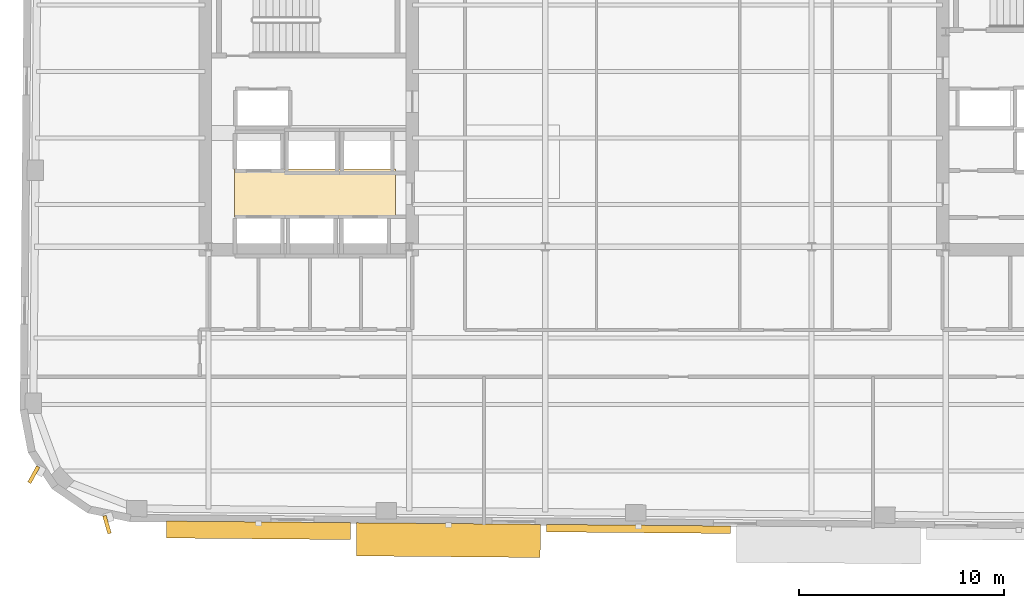
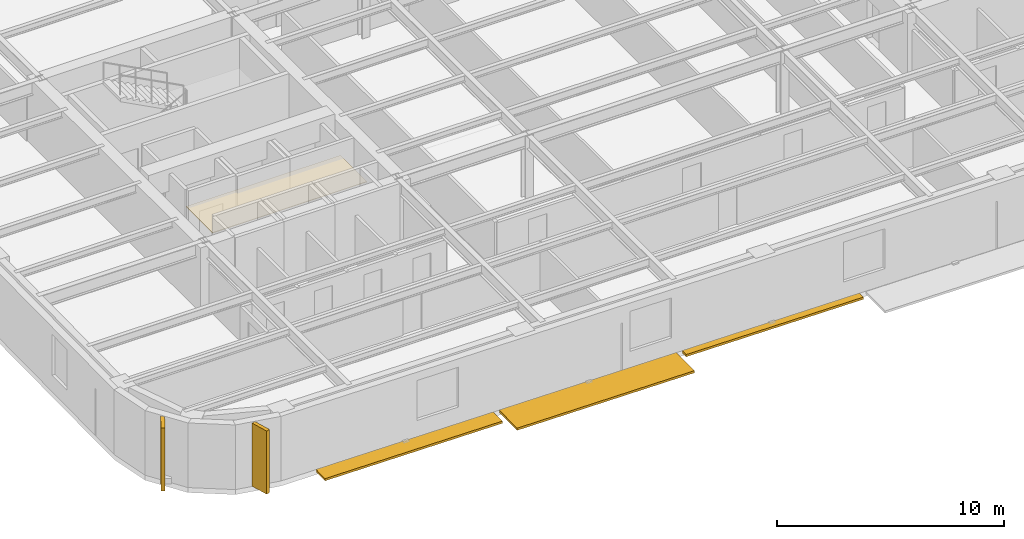
# One storey, part 8 of 12: 5 shading devices, 1 covering.
"""IFC4 building model written with IfcOpenShell, lengths in metres."""

from ifc_helpers import new_model, si_unit, direction, frame, origin, origin_2d, place, context, subcontext, project, spatial, polyline, rectangle, outline, extrude, material, layer, layer_set, type_object, element, save


model = new_model("IFC4")

# Units and contexts
model_context = context("Model", 3, precision=1e-05, world=origin(), true_north=direction((0.0, 1.0)))
body_context = subcontext(model_context, "Body", "Model", "MODEL_VIEW")
ifc_project = project(units=[si_unit("LENGTHUNIT", "METRE"), si_unit("AREAUNIT", "SQUARE_METRE"), si_unit("VOLUMEUNIT", "CUBIC_METRE"), si_unit("PLANEANGLEUNIT", "RADIAN"), si_unit("MASSUNIT", "GRAM", prefix="KILO")], contexts=[model_context])

# Site, building, storey
site_placement = place(None, origin())
site = spatial("IfcSite", under=ifc_project, at=site_placement, CompositionType="ELEMENT")
building_placement = place(site_placement, origin())
building = spatial("IfcBuilding", under=site, at=building_placement, Name="Kolvaren Arena Tower", CompositionType="ELEMENT")
storey_placement = place(building_placement, frame((0.0, 0.0, 177.199951171875)))
storey = spatial("IfcBuildingStorey", under=building, at=storey_placement, Name="L42", CompositionType="ELEMENT", Elevation=177.199951171875)

# Covering
ifc_material_1 = material(Name="Moisture-resistant gypsum ceiling", Category="gypsum")
ifc_layer = layer(ifc_material_1, 0.030029296875)
ifc_layer_set = layer_set([ifc_layer], Name="Moisture-resistant gypsum ceiling")
covering_type = type_object("IfcCoveringType", Name="CEIL-GYP-1", PredefinedType="CEILING", material=ifc_layer_set)
covering_placement = place(storey_placement, frame((0.0, 0.0, 2.52001953125)))
element("IfcCovering", 1, at=covering_placement, inside=storey, type_object=covering_type, Name="Suspended Ceiling (L42)", PredefinedType="CEILING", context=body_context, shape_type="SweptSolid", body=[
    extrude(outline(polyline([(15.820068359375, 20.89990234375), (15.820068359375, 23.239990234375), (23.679931640625, 23.239990234375), (23.679931640625, 20.89990234375), (15.820068359375, 20.89990234375)])), origin(), (0.0, 0.0, 1.0), 0.030029296875),
])

# Shading devices
ifc_material_2 = material(Name="Precast architectural concrete C50/60 rib fin", Category="concrete")
shading_device_type_1 = type_object("IfcShadingDeviceType", Name="SHAD-FIN-28", PredefinedType="USERDEFINED", material=ifc_material_2)
for number, where, z_axis, x_axis, name in (
    (2, (6.018798828125, 8.31494140625, 0.02001953125), (0.0, 0.0, 1.0), (-0.480994889615, -0.876723397751, 0.0), "Precast 28-Deg Corner Rib Fin (L42)"),
    (3, (9.597412109375, 5.87841796875, 0.02001953125), (0.0, 0.0, 1.0), (0.279812257957, -0.960054738177, 0.0), "Precast 28-Deg Corner Rib Fin (L42)"),
):
    element("IfcShadingDevice", number, at=place(storey_placement, frame(where, z_axis=z_axis, x_axis=x_axis)), inside=storey, type_object=shading_device_type_1, Name=name, ObjectType="FIN", PredefinedType="USERDEFINED", context=body_context, shape_type="SweptSolid", body=[
        extrude(rectangle(XDim=0.89990234375, YDim=0.179931640625, at=origin_2d()), origin(), (0.0, 0.0, 1.0), 3.39990234375),
    ])
ifc_material_3 = material(Name="Architectural precast GFRC and anodised aluminium sunshade", Category="concrete")
shading_device_type_2 = type_object("IfcShadingDeviceType", Name="SHAD-SINE-A", PredefinedType="USERDEFINED", material=ifc_material_3)
shading_device_1_placement = place(storey_placement, frame((35.5498046875, 5.666015625, -0.139892578125), z_axis=(0.0, 0.0, 1.0), x_axis=(-0.999961923064, 0.008726535498, 0.0)))
element("IfcShadingDevice", 4, at=shading_device_1_placement, inside=storey, type_object=shading_device_type_2, Name="Sinusoidal Slab-Edge Sunshade Louvre (L42)", ObjectType="LOUVRE", PredefinedType="USERDEFINED", context=body_context, shape_type="SweptSolid", body=[
    extrude(rectangle(XDim=8.97998046875, YDim=0.36669921875, at=origin_2d()), origin(), (0.0, 0.0, 1.0), 0.1201171875),
])
shading_device_2_placement = place(storey_placement, frame((16.988525390625, 5.59814453125, -0.139892578125), z_axis=(0.0, 0.0, 1.0), x_axis=(-0.999961923064, 0.008726535498, 0.0)))
element("IfcShadingDevice", 5, at=shading_device_2_placement, inside=storey, type_object=shading_device_type_2, Name="Sinusoidal Slab-Edge Sunshade Louvre (L42)", ObjectType="LOUVRE", PredefinedType="USERDEFINED", context=body_context, shape_type="SweptSolid", body=[
    extrude(rectangle(XDim=8.97998046875, YDim=0.82666015625, at=origin_2d()), origin(), (0.0, 0.0, 1.0), 0.1201171875),
])
shading_device_type_3 = type_object("IfcShadingDeviceType", Name="SHAD-SINE-B", PredefinedType="JALOUSIE", material=ifc_material_3)
shading_device_3_placement = place(storey_placement, frame((26.264892578125, 5.1201171875, -0.139892578125), z_axis=(0.0, 0.0, 1.0), x_axis=(-0.999961923064, 0.008726535498, 0.0)))
element("IfcShadingDevice", 6, at=shading_device_3_placement, inside=storey, type_object=shading_device_type_3, Name="Sinusoidal Slab-Edge Sunshade Louvre (L42)", PredefinedType="JALOUSIE", context=body_context, shape_type="SweptSolid", body=[
    extrude(rectangle(XDim=8.97998046875, YDim=1.62060546875, at=origin_2d()), origin(), (0.0, 0.0, 1.0), 0.1201171875),
])

save(model, "model.ifc")
